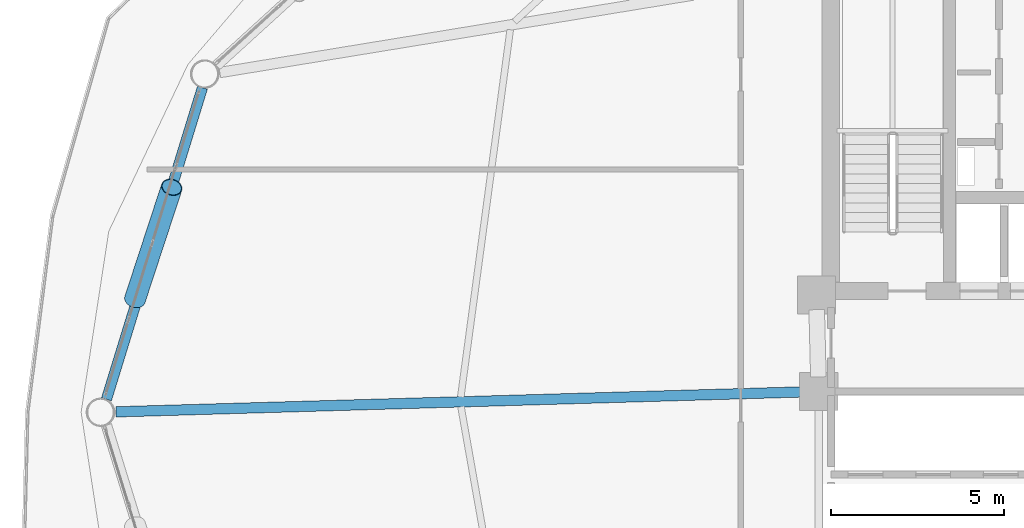
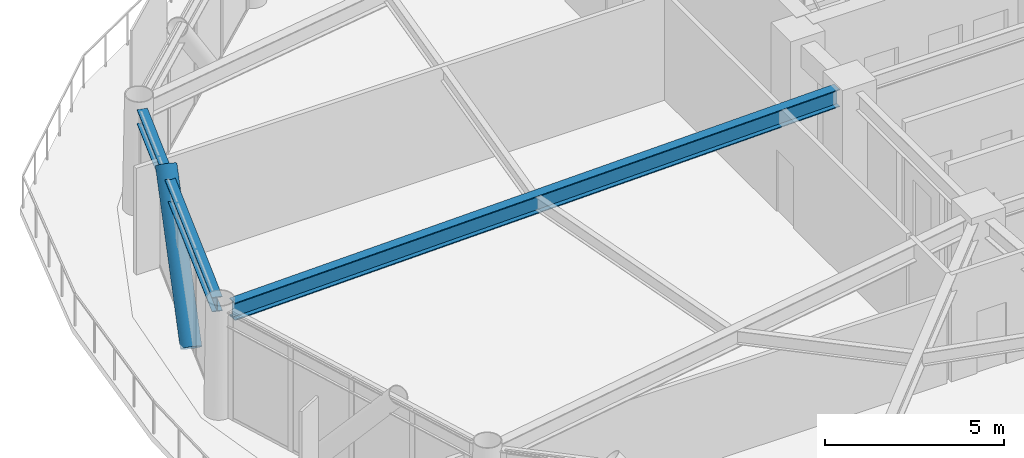
# One storey, part 9 of 24: 2 beams, 1 member.
"""IFC4 building model written with IfcOpenShell, lengths in metres."""

from ifc_helpers import new_model, si_unit, direction, frame, origin, origin_2d, place, context, subcontext, project, spatial, hollow_circle, i_section, extrude, material, material_profile, profile_set, type_object, element, save


model = new_model("IFC4")

# Units and contexts
model_context = context("Model", 3, precision=1e-05, world=origin(), true_north=direction((0.0, 1.0)))
body_context = subcontext(model_context, "Body", "Model", "MODEL_VIEW")
ifc_project = project(units=[si_unit("LENGTHUNIT", "METRE"), si_unit("AREAUNIT", "SQUARE_METRE"), si_unit("VOLUMEUNIT", "CUBIC_METRE"), si_unit("PLANEANGLEUNIT", "RADIAN"), si_unit("MASSUNIT", "GRAM", prefix="KILO")], contexts=[model_context])

# Site, building, storey
site_placement = place(None, origin())
site = spatial("IfcSite", under=ifc_project, at=site_placement, CompositionType="ELEMENT")
building_placement = place(site_placement, origin())
building = spatial("IfcBuilding", under=site, at=building_placement, Name="Varnakorn Sky Granary", CompositionType="ELEMENT")
storey_placement = place(building_placement, frame((0.0, 0.0, 103.199951171875)))
storey = spatial("IfcBuildingStorey", under=building, at=storey_placement, Name="L25", CompositionType="ELEMENT", Elevation=103.199951171875)

# Beams
ifc_material_1 = material(Name="Steel S355JR", Category="steel")
ifc_material_profile_1 = material_profile(ifc_material_1, i_section(OverallWidth=0.300048828125, OverallDepth=0.60009765625, WebThickness=0.015380859375, FlangeThickness=0.030029296875, at=origin_2d()), Name="HE 600 B")
ifc_profile_set_1 = profile_set([ifc_material_profile_1], Name="Steel S355JR")
beam_type_1 = type_object("IfcBeamType", Name="BM-RAD-Z2", PredefinedType="BEAM", material=ifc_profile_set_1)
beam_1_placement = place(storey_placement, frame((-2.769775390625, 0.587890625, 3.340087890625), z_axis=(-0.999578899222, -0.029017653769, 0.0), x_axis=(0.029017653769, -0.999578899222, 0.0)))
element("IfcBeam", 1, at=beam_1_placement, inside=storey, type_object=beam_type_1, Name="Radial Floor Girder RG07 L25", PredefinedType="BEAM", context=body_context, shape_type="SweptSolid", body=[
    extrude(i_section(OverallWidth=0.300048828125, OverallDepth=0.60009765625, WebThickness=0.015380859375, FlangeThickness=0.030029296875, at=origin_2d()), origin(), (0.0, 0.0, 1.0), 19.8642578125),
])
ifc_material_profile_2 = material_profile(ifc_material_1, i_section(OverallWidth=0.300048828125, OverallDepth=0.5, WebThickness=0.014404296875, FlangeThickness=0.028076171875, at=origin_2d()), Name="HE 500 B")
ifc_profile_set_2 = profile_set([ifc_material_profile_2], Name="Steel S355JR")
beam_type_2 = type_object("IfcBeamType", Name="BM-SPD-Z2", PredefinedType="SPANDREL", material=ifc_profile_set_2)
beam_2_placement = place(storey_placement, frame((-20.132568359375, 9.3642578125, 3.39013671875), z_axis=(-0.294390401582, -0.955685247064, 0.0), x_axis=(0.955685247064, -0.294390401582, 0.0)))
element("IfcBeam", 2, at=beam_2_placement, inside=storey, type_object=beam_type_2, Name="Perimeter Spandrel Ring Beam RB06 L25", PredefinedType="SPANDREL", context=body_context, shape_type="SweptSolid", body=[
    extrude(i_section(OverallWidth=0.300048828125, OverallDepth=0.5, WebThickness=0.014404296875, FlangeThickness=0.028076171875, at=origin_2d()), origin(), (0.0, 0.0, 1.0), 9.40673828125),
])

# Member
ifc_material_2 = material(Name="Steel S460M", Category="steel")
ifc_material_profile_3 = material_profile(ifc_material_2, hollow_circle(Radius=0.304931640625, WallThickness=0.022216796875, at=origin_2d()), Name="CHS 610x22")
ifc_profile_set_3 = profile_set([ifc_material_profile_3], Name="Steel S460M")
member_type = type_object("IfcMemberType", Name="MB-DIAG-T1", PredefinedType="BRACE", material=ifc_profile_set_3)
member_placement = place(storey_placement, frame((-22.080078125, 3.254150390625, -0.1298828125), z_axis=(0.204600629855, 0.62339034086, 0.75466751963), x_axis=(-0.950134582197, 0.311840144485, 0.0)))
element("IfcMember", 3, at=member_placement, inside=storey, type_object=member_type, Name="Perimeter CHS Diagrid Brace DG06 L25", PredefinedType="BRACE", context=body_context, shape_type="SweptSolid", body=[
    extrude(hollow_circle(Radius=0.304931640625, WallThickness=0.022216796875, at=origin_2d()), origin(), (0.0, 0.0, 1.0), 5.1943359375),
])

save(model, "model.ifc")
